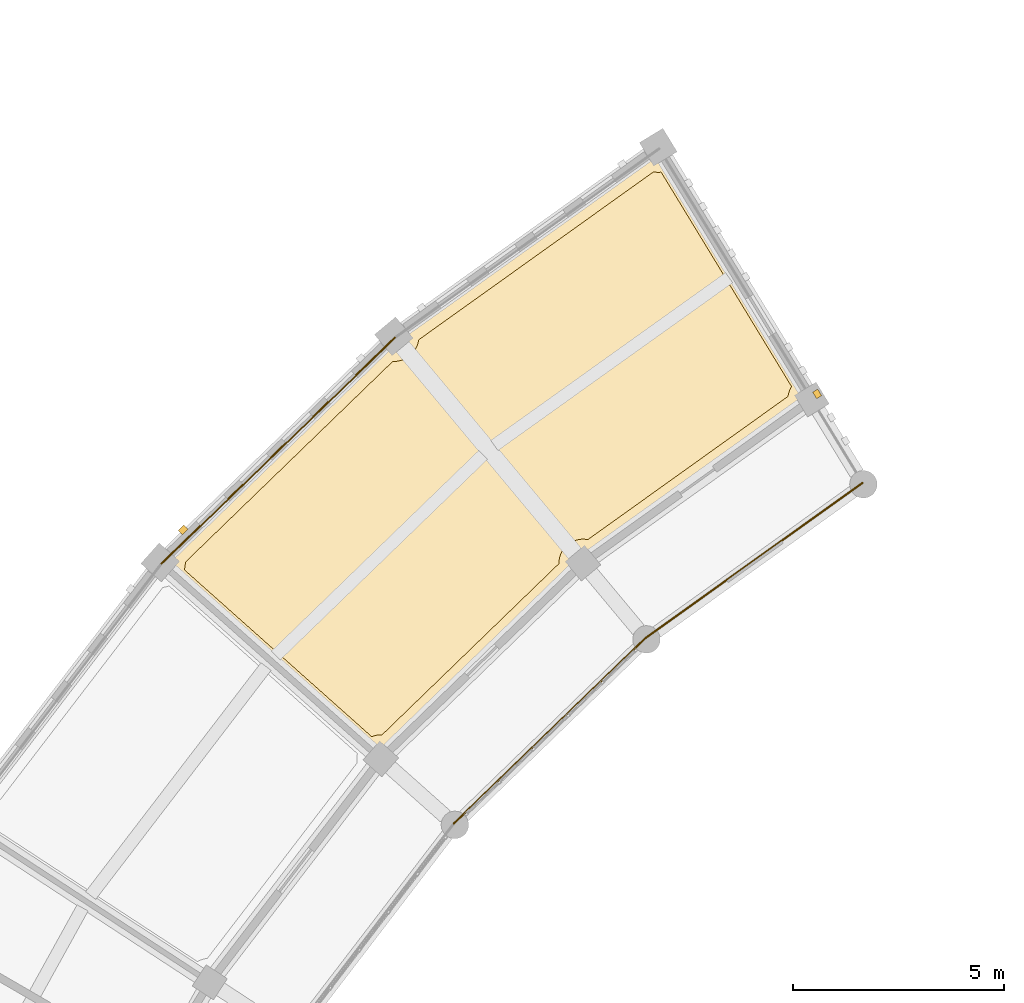
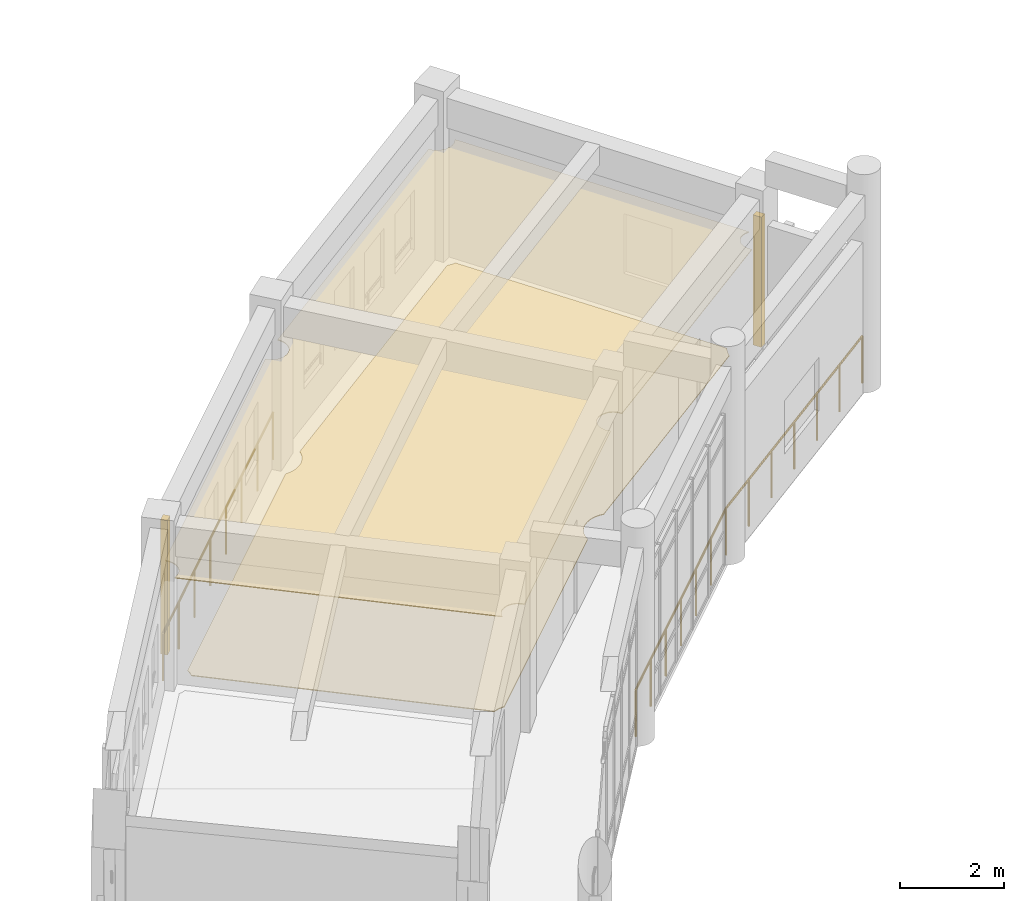
# One storey, part 149 of 159: 4 coverings, 3 railings.
"""IFC4 building model written with IfcOpenShell, lengths in metres."""

from ifc_helpers import new_model, si_unit, direction, frame, origin, origin_2d, place, context, subcontext, project, spatial, polyline, rectangle, circle, outline, extrude, material, layer, layer_set, type_object, element, save


model = new_model("IFC4")

# Units and contexts
model_context = context("Model", 3, precision=1e-05, world=origin(), true_north=direction((0.0, 1.0)))
body_context = subcontext(model_context, "Body", "Model", "MODEL_VIEW")
ifc_project = project(units=[si_unit("LENGTHUNIT", "METRE"), si_unit("AREAUNIT", "SQUARE_METRE"), si_unit("VOLUMEUNIT", "CUBIC_METRE"), si_unit("PLANEANGLEUNIT", "RADIAN"), si_unit("MASSUNIT", "GRAM", prefix="KILO")], contexts=[model_context])

# Site, building, storey
site_placement = place(None, origin())
site = spatial("IfcSite", under=ifc_project, at=site_placement, CompositionType="ELEMENT")
building_placement = place(site_placement, origin())
building = spatial("IfcBuilding", under=site, at=building_placement, Name="Celadon Cloister-Ring School", CompositionType="ELEMENT")
storey_placement = place(building_placement, frame((0.0, 0.0, 4.5)))
storey = spatial("IfcBuildingStorey", under=building, at=storey_placement, Name="L01", CompositionType="ELEMENT", Elevation=4.5)

# Coverings
ifc_material_1 = material(Name="Mineral-fibre acoustic ceiling board")
ifc_layer_1 = layer(ifc_material_1, 0.02001953125)
ifc_layer_set_1 = layer_set([ifc_layer_1], Name="Mineral-fibre acoustic ceiling board")
covering_type_1 = type_object("IfcCoveringType", Name="CV-CL1", PredefinedType="CEILING", material=ifc_layer_set_1)
covering_1_placement = place(storey_placement, frame((0.0, 0.0, 2.550048828125)))
element("IfcCovering", 1, at=covering_1_placement, inside=storey, type_object=covering_type_1, Name="Acoustic Ceiling 0008", PredefinedType="CEILING", context=body_context, shape_type="SweptSolid", body=[
    extrude(outline(polyline([(53.65087890625, 89.1201171875), (53.597900390625, 89.175048828125), (53.51708984375, 89.22412109375), (53.426025390625, 89.24609375), (53.3330078125, 89.241943359375), (53.243896484375, 89.2099609375), (53.19189453125, 89.175048828125), (53.14794921875, 89.131103515625), (53.113037109375, 89.0791015625), (53.0791015625, 88.97802734375), (53.050048828125, 88.9951171875), (48.304931640625, 93.219970703125), (48.27392578125, 93.256103515625), (48.360107421875, 93.297119140625), (48.43505859375, 93.364990234375), (48.487060546875, 93.451904296875), (48.506103515625, 93.51708984375), (48.510986328125, 93.617919921875), (48.498046875, 93.68408203125), (48.455078125, 93.77587890625), (48.40087890625, 93.837890625), (53.44091796875, 98.717041015625), (53.510986328125, 98.654052734375), (53.571044921875, 98.6220703125), (53.635986328125, 98.60302734375), (53.702880859375, 98.595947265625), (53.77001953125, 98.60302734375), (53.8349609375, 98.6220703125), (53.89501953125, 98.654052734375), (53.947021484375, 98.697021484375), (53.989990234375, 98.7490234375), (54.02197265625, 98.80908203125), (54.0458984375, 98.906982421875), (54.0458984375, 98.97509765625), (54.032958984375, 99.041015625), (54.007080078125, 99.10400390625), (53.970947265625, 99.157958984375), (59.677001953125, 103.239013671875), (59.72509765625, 103.177978515625), (59.805908203125, 103.117919921875), (59.868896484375, 103.092041015625), (59.968994140625, 103.076904296875), (60.069091796875, 103.092041015625), (60.132080078125, 103.117919921875), (60.212890625, 103.177978515625), (60.27294921875, 103.259033203125), (60.302978515625, 103.221923828125), (63.60400390625, 97.79296875), (63.615966796875, 97.761962890625), (63.514892578125, 97.748046875), (63.45703125, 97.72412109375), (63.405029296875, 97.68896484375), (63.361083984375, 97.64501953125), (63.31201171875, 97.56396484375), (63.2900390625, 97.472900390625), (63.2939453125, 97.3798828125), (63.325927734375, 97.291015625), (63.373046875, 97.22509765625), (58.467041015625, 93.716064453125), (58.410888671875, 93.791015625), (58.363037109375, 93.8310546875), (58.306884765625, 93.861083984375), (58.2470703125, 93.87890625), (58.154052734375, 93.883056640625), (58.092041015625, 93.87109375), (58.033935546875, 93.846923828125), (57.98193359375, 93.81201171875), (57.93798828125, 93.76806640625), (57.903076171875, 93.716064453125), (57.87109375, 93.626953125), (57.864990234375, 93.56494140625), (57.87109375, 93.5029296875), (57.903076171875, 93.4140625), (57.93798828125, 93.362060546875), (57.986083984375, 93.31494140625), (53.65087890625, 89.1201171875)])), origin(), (0.0, 0.0, 1.0), 0.02001953125),
])
ifc_material_2 = material(Name="Polished cement-marble terrazzo tile", Category="masonry")
ifc_layer_2 = layer(ifc_material_2, 0.01806640625)
ifc_layer_set_2 = layer_set([ifc_layer_2], Name="Polished cement-marble terrazzo tile")
covering_type_2 = type_object("IfcCoveringType", Name="CV-FL1", PredefinedType="FLOORING", material=ifc_layer_set_2)
covering_2_placement = place(storey_placement, origin())
element("IfcCovering", 2, at=covering_2_placement, inside=storey, type_object=covering_type_2, Name="Terrazzo Flooring 0007", PredefinedType="FLOORING", context=body_context, shape_type="SweptSolid", body=[
    extrude(outline(polyline([(48.737060546875, 93.410888671875), (48.740966796875, 93.423095703125), (48.7490234375, 93.4560546875), (48.75390625, 93.47998046875), (48.759033203125, 93.513916015625), (48.760986328125, 93.5380859375), (48.762939453125, 93.572021484375), (48.762939453125, 93.590087890625), (53.677978515625, 98.346923828125), (53.69091796875, 98.345947265625), (53.715087890625, 98.345947265625), (53.7490234375, 98.347900390625), (53.77294921875, 98.35009765625), (53.806884765625, 98.35498046875), (53.8310546875, 98.360107421875), (53.864013671875, 98.367919921875), (53.886962890625, 98.375), (53.9189453125, 98.386962890625), (53.94189453125, 98.39599609375), (53.972900390625, 98.410888671875), (53.993896484375, 98.422119140625), (54.02294921875, 98.43994140625), (54.0439453125, 98.452880859375), (54.071044921875, 98.47412109375), (54.090087890625, 98.489013671875), (54.114990234375, 98.511962890625), (54.132080078125, 98.529052734375), (54.155029296875, 98.553955078125), (54.169921875, 98.572998046875), (54.19091796875, 98.60009765625), (54.2041015625, 98.62109375), (54.221923828125, 98.64990234375), (54.23291015625, 98.6708984375), (54.248046875, 98.701904296875), (54.257080078125, 98.72509765625), (54.26904296875, 98.757080078125), (54.27587890625, 98.780029296875), (54.283935546875, 98.81298828125), (54.2890625, 98.8369140625), (54.2919921875, 98.85888671875), (59.85595703125, 102.837890625), (59.864990234375, 102.8359375), (59.89892578125, 102.8310546875), (59.923095703125, 102.8291015625), (59.95703125, 102.826904296875), (59.98095703125, 102.826904296875), (60.014892578125, 102.8291015625), (60.037109375, 102.8310546875), (63.1279296875, 97.75), (63.126953125, 97.748046875), (63.111083984375, 97.720947265625), (63.10009765625, 97.699951171875), (63.0859375, 97.6708984375), (63.076904296875, 97.64892578125), (63.06591796875, 97.618896484375), (63.05908203125, 97.595947265625), (63.052001953125, 97.56494140625), (63.047119140625, 97.541015625), (63.04296875, 97.51806640625), (58.298095703125, 94.123046875), (58.283935546875, 94.1259765625), (58.2529296875, 94.131103515625), (58.22900390625, 94.133056640625), (58.197021484375, 94.135009765625), (58.173095703125, 94.135009765625), (58.14111328125, 94.133056640625), (58.116943359375, 94.131103515625), (58.0859375, 94.1259765625), (58.06201171875, 94.12109375), (58.031005859375, 94.114013671875), (58.008056640625, 94.10693359375), (57.97802734375, 94.095947265625), (57.9560546875, 94.0869140625), (57.927001953125, 94.072998046875), (57.906005859375, 94.06201171875), (57.87890625, 94.0458984375), (57.85791015625, 94.031982421875), (57.8330078125, 94.012939453125), (57.81396484375, 93.998046875), (57.791015625, 93.97705078125), (57.77294921875, 93.958984375), (57.751953125, 93.93603515625), (57.737060546875, 93.9169921875), (57.718017578125, 93.89208984375), (57.7041015625, 93.87109375), (57.68798828125, 93.843994140625), (57.677001953125, 93.822998046875), (57.6630859375, 93.7939453125), (57.654052734375, 93.77197265625), (57.64306640625, 93.741943359375), (57.635986328125, 93.718994140625), (57.62890625, 93.68798828125), (57.6240234375, 93.6640625), (57.618896484375, 93.633056640625), (57.616943359375, 93.60888671875), (57.614990234375, 93.576904296875), (57.614990234375, 93.554931640625), (53.422119140625, 89.4970703125), (53.406982421875, 89.498046875), (53.383056640625, 89.498046875), (53.35107421875, 89.49609375), (53.326904296875, 89.493896484375), (53.2958984375, 89.489013671875), (53.27197265625, 89.48388671875), (53.240966796875, 89.47705078125), (53.218017578125, 89.469970703125), (53.18798828125, 89.458984375), (53.178955078125, 89.455078125), (48.737060546875, 93.410888671875)])), origin(), (0.0, 0.0, 1.0), 0.01806640625),
])
ifc_material_3 = material(Name="Perforated terracotta clay brick masonry", Category="masonry")
ifc_layer_3 = layer(ifc_material_3, 0.139892578125)
ifc_layer_set_3 = layer_set([ifc_layer_3], Name="Perforated terracotta clay brick masonry")
covering_type_3 = type_object("IfcCoveringType", Name="CV-SC1", PredefinedType="CLADDING", material=ifc_layer_set_3)
covering_3_placement = place(storey_placement, frame((48.7099609375, 94.35595703125, 0.0), z_axis=(0.0, 0.0, 1.0), x_axis=(0.718672644851, 0.695348566938, 0.0)))
element("IfcCovering", 3, at=covering_3_placement, inside=storey, type_object=covering_type_3, Name="Brick Screen Rib 0128", PredefinedType="CLADDING", context=body_context, shape_type="SweptSolid", body=[
    extrude(rectangle(XDim=0.179931640625, YDim=0.139892578125, at=origin_2d()), origin(), (0.0, 0.0, 1.0), 3.152099609375),
])
covering_4_placement = place(storey_placement, frame((63.73291015625, 97.576904296875, 0.0), z_axis=(0.0, 0.0, 1.0), x_axis=(0.51986207177, -0.854250212956, 0.0)))
element("IfcCovering", 4, at=covering_4_placement, inside=storey, type_object=covering_type_3, Name="Brick Screen Rib 0220", PredefinedType="CLADDING", context=body_context, shape_type="SweptSolid", body=[
    extrude(rectangle(XDim=0.179931640625, YDim=0.139892578125, at=origin_2d()), origin(), (0.0, 0.0, 1.0), 3.052001953125),
])

# Railings
ifc_material_4 = material(Name="Structural steel S355JR", Category="steel")
railing_type = type_object("IfcRailingType", Name="RL-BL1", PredefinedType="BALUSTRADE", material=ifc_material_4)
railing_1_placement = place(storey_placement, frame((53.72900390625, 98.910888671875, 0.0)))
element("IfcRailing", 5, at=railing_1_placement, inside=storey, type_object=railing_type, Name="Terrace Balustrade 0002", PredefinedType="BALUSTRADE", context=body_context, shape_type="SweptSolid", body=[
    extrude(circle(Radius=0.02392578125, at=origin_2d()), frame((0.0, 0.0, 1.09619140625), z_axis=(-0.718571468131, -0.695453122208, 0.0), x_axis=(0.695453122208, -0.718571468131, 0.0)), (0.0, 0.0, 1.0), 7.698486328125),
    extrude(circle(Radius=0.02099609375, at=origin_2d()), origin(), (0.0, 0.0, 1.0), 1.072021484375),
    extrude(circle(Radius=0.02099609375, at=origin_2d()), frame((-0.790283203125, -0.764892578125, 0.0)), (0.0, 0.0, 1.0), 1.072021484375),
    extrude(circle(Radius=0.02099609375, at=origin_2d()), frame((-1.58056640625, -1.52978515625, 0.0)), (0.0, 0.0, 1.0), 1.072021484375),
    extrude(circle(Radius=0.02099609375, at=origin_2d()), frame((-2.370849609375, -2.294677734375, 0.0)), (0.0, 0.0, 1.0), 1.072021484375),
    extrude(circle(Radius=0.02099609375, at=origin_2d()), frame((-3.1611328125, -3.059326171875, 0.0)), (0.0, 0.0, 1.0), 1.072021484375),
    extrude(circle(Radius=0.02099609375, at=origin_2d()), frame((-3.951416015625, -3.82421875, 0.0)), (0.0, 0.0, 1.0), 1.072021484375),
    extrude(circle(Radius=0.02099609375, at=origin_2d()), frame((-4.74169921875, -4.589111328125, 0.0)), (0.0, 0.0, 1.0), 1.072021484375),
    extrude(circle(Radius=0.02099609375, at=origin_2d()), frame((-5.531982421875, -5.35400390625, 0.0)), (0.0, 0.0, 1.0), 1.072021484375),
])
railing_2_placement = place(storey_placement, frame((64.80908203125, 95.468994140625, 0.0)))
element("IfcRailing", 6, at=railing_2_placement, inside=storey, type_object=railing_type, Name="Terrace Balustrade 0036", PredefinedType="BALUSTRADE", context=body_context, shape_type="SweptSolid", body=[
    extrude(circle(Radius=0.02392578125, at=origin_2d()), frame((0.0, 0.0, 1.09619140625), z_axis=(-0.813386411886, -0.581723770323, 0.0), x_axis=(0.581723770323, -0.813386411886, 0.0)), (0.0, 0.0, 1.0), 6.32421875),
    extrude(circle(Radius=0.02099609375, at=origin_2d()), origin(), (0.0, 0.0, 1.0), 1.072021484375),
    extrude(circle(Radius=0.02099609375, at=origin_2d()), frame((-0.857421875, -0.61328125, 0.0)), (0.0, 0.0, 1.0), 1.072021484375),
    extrude(circle(Radius=0.02099609375, at=origin_2d()), frame((-1.714599609375, -1.226318359375, 0.0)), (0.0, 0.0, 1.0), 1.072021484375),
    extrude(circle(Radius=0.02099609375, at=origin_2d()), frame((-2.572021484375, -1.83935546875, 0.0)), (0.0, 0.0, 1.0), 1.072021484375),
    extrude(circle(Radius=0.02099609375, at=origin_2d()), frame((-3.429443359375, -2.45263671875, 0.0)), (0.0, 0.0, 1.0), 1.072021484375),
    extrude(circle(Radius=0.02099609375, at=origin_2d()), frame((-4.28662109375, -3.06591796875, 0.0)), (0.0, 0.0, 1.0), 1.072021484375),
    extrude(circle(Radius=0.02099609375, at=origin_2d()), frame((-5.14404296875, -3.678955078125, 0.0)), (0.0, 0.0, 1.0), 1.072021484375),
])
railing_3_placement = place(storey_placement, frame((59.6650390625, 91.7900390625, 0.0)))
element("IfcRailing", 7, at=railing_3_placement, inside=storey, type_object=railing_type, Name="Terrace Balustrade 0037", PredefinedType="BALUSTRADE", context=body_context, shape_type="SweptSolid", body=[
    extrude(circle(Radius=0.02392578125, at=origin_2d()), frame((0.0, 0.0, 1.09619140625), z_axis=(-0.718630766596, -0.695391847307, 0.0), x_axis=(0.695391847307, -0.718630766596, 0.0)), (0.0, 0.0, 1.0), 6.324462890625),
    extrude(circle(Radius=0.02099609375, at=origin_2d()), origin(), (0.0, 0.0, 1.0), 1.072021484375),
    extrude(circle(Radius=0.02099609375, at=origin_2d()), frame((-0.757568359375, -0.73291015625, 0.0)), (0.0, 0.0, 1.0), 1.072021484375),
    extrude(circle(Radius=0.02099609375, at=origin_2d()), frame((-1.514892578125, -1.466064453125, 0.0)), (0.0, 0.0, 1.0), 1.072021484375),
    extrude(circle(Radius=0.02099609375, at=origin_2d()), frame((-2.2724609375, -2.198974609375, 0.0)), (0.0, 0.0, 1.0), 1.072021484375),
    extrude(circle(Radius=0.02099609375, at=origin_2d()), frame((-3.030029296875, -2.931884765625, 0.0)), (0.0, 0.0, 1.0), 1.072021484375),
    extrude(circle(Radius=0.02099609375, at=origin_2d()), frame((-3.787353515625, -3.6650390625, 0.0)), (0.0, 0.0, 1.0), 1.072021484375),
    extrude(circle(Radius=0.02099609375, at=origin_2d()), frame((-4.544921875, -4.39794921875, 0.0)), (0.0, 0.0, 1.0), 1.072021484375),
])

save(model, "model.ifc")
